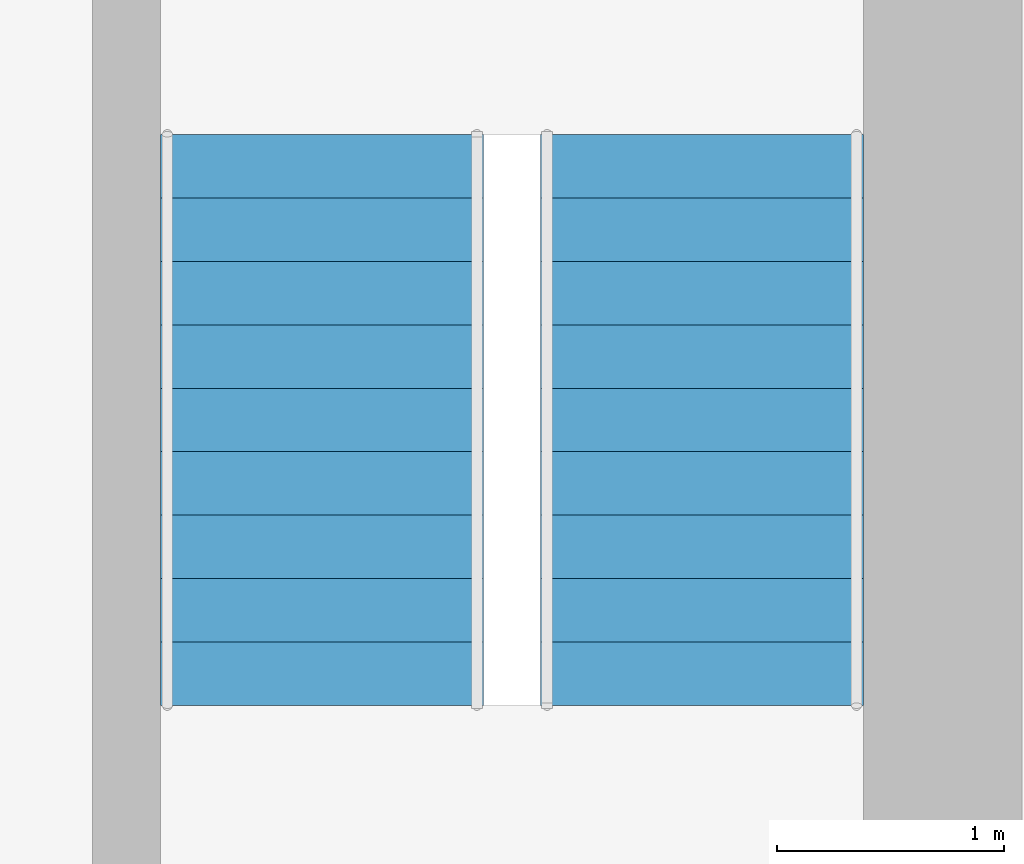
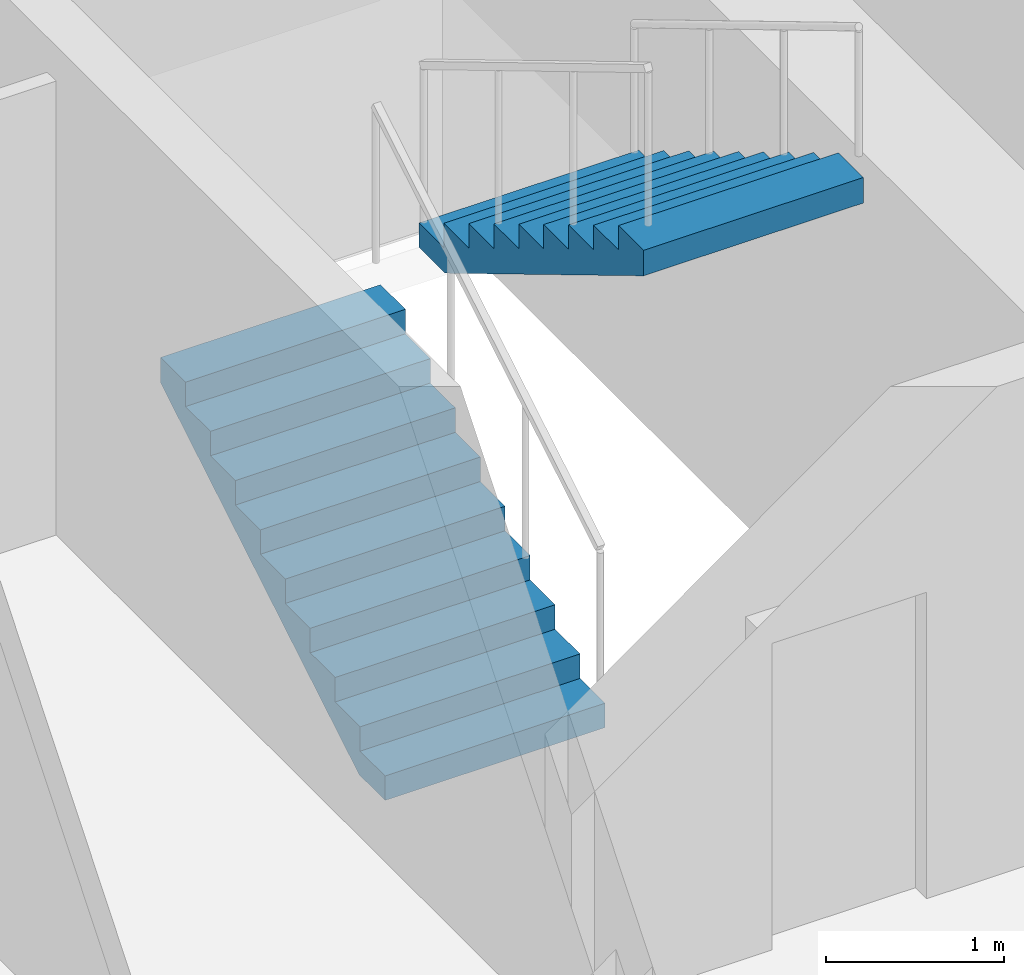
# One storey, part 22 of 23: 2 stair flights, 1 element without a shape of its own.
"""IFC4 building model written with IfcOpenShell, lengths in metres."""

from ifc_helpers import new_model, si_unit, direction, frame, origin, place, context, subcontext, project, spatial, polyline, outline, extrude, material, type_object, element, aggregate, save


model = new_model("IFC4")

# Units and contexts
model_context = context("Model", 3, precision=1e-05, world=origin(), true_north=direction((0.0, 1.0)))
body_context = subcontext(model_context, "Body", "Model", "MODEL_VIEW")
ifc_project = project(units=[si_unit("LENGTHUNIT", "METRE"), si_unit("AREAUNIT", "SQUARE_METRE"), si_unit("VOLUMEUNIT", "CUBIC_METRE"), si_unit("PLANEANGLEUNIT", "RADIAN"), si_unit("MASSUNIT", "GRAM", prefix="KILO")], contexts=[model_context])

# Site, building, storey
site_placement = place(None, origin())
site = spatial("IfcSite", under=ifc_project, at=site_placement, CompositionType="ELEMENT")
building_placement = place(site_placement, origin())
building = spatial("IfcBuilding", under=site, at=building_placement, Name="Jalousie Tower", CompositionType="ELEMENT")
storey_placement = place(building_placement, frame((0.0, 0.0, 194.550048828125)))
storey = spatial("IfcBuildingStorey", under=building, at=storey_placement, Name="L53", CompositionType="ELEMENT", Elevation=194.550048828125)

# Stair, stair flights
ifc_material_1 = material(Name="Concrete f'c 40 MPa", Category="concrete")
stair_type = type_object("IfcStairType", Name="EXIT STAIR", PredefinedType="HALF_TURN_STAIR", material=ifc_material_1)
stair_placement = place(storey_placement, origin())
stair = element("IfcStair", 1, at=stair_placement, inside=storey, type_object=stair_type, Name="Exit stair B L53", PredefinedType="HALF_TURN_STAIR")
ifc_material_2 = material(Name="Concrete f'c 40 MPa", Category="concrete")
stair_flight_type = type_object("IfcStairFlightType", Name="STAIR FLIGHT", PredefinedType="STRAIGHT", material=ifc_material_2)
stair_flight_1_placement = place(storey_placement, frame((41.0625, 21.50244140625, 0.0), z_axis=(0.0, 0.0, 1.0), x_axis=(0.0, 1.0, 0.0)))
stair_flight_1 = element("IfcStairFlight", 2, at=stair_flight_1_placement, type_object=stair_flight_type, Name="ST-B flight 1", NumberOfRisers=10, NumberOfTreads=9, PredefinedType="STRAIGHT", RiserHeight=0.1675, TreadLength=0.28, context=body_context, shape_type="SweptSolid", body=[
    extrude(outline(polyline([(0.0, 0.0), (0.0, 0.16748046875), (0.280029296875, 0.16748046875), (0.280029296875, 0.3349609375), (0.56005859375, 0.3349609375), (0.56005859375, 0.50244140625), (0.840087890625, 0.50244140625), (0.840087890625, 0.669921875), (1.1201171875, 0.669921875), (1.1201171875, 0.83740234375), (1.39990234375, 0.83740234375), (1.39990234375, 1.0048828125), (1.679931640625, 1.0048828125), (1.679931640625, 1.172607421875), (1.9599609375, 1.172607421875), (1.9599609375, 1.340087890625), (2.239990234375, 1.340087890625), (2.239990234375, 1.507568359375), (2.52001953125, 1.507568359375), (2.52001953125, 1.675048828125), (2.52001953125, 1.332763671875), (0.2919921875, 0.0), (0.0, 0.0)])), frame((0.0, 0.71240234375, 0.0), z_axis=(0.0, -1.0, 0.0), x_axis=(1.0, 0.0, 0.0)), (0.0, 0.0, 1.0), 1.425048828125),
])
stair_flight_2_placement = place(storey_placement, frame((42.737548828125, 24.0224609375, 1.675048828125), z_axis=(0.0, 0.0, 1.0), x_axis=(0.0, -1.0, 0.0)))
stair_flight_2 = element("IfcStairFlight", 3, at=stair_flight_2_placement, type_object=stair_flight_type, Name="ST-B flight 2", NumberOfRisers=10, NumberOfTreads=9, PredefinedType="STRAIGHT", RiserHeight=0.1675, TreadLength=0.28, context=body_context, shape_type="SweptSolid", body=[
    extrude(outline(polyline([(0.0, 0.0), (0.0, 0.16748046875), (0.280029296875, 0.16748046875), (0.280029296875, 0.3349609375), (0.56005859375, 0.3349609375), (0.56005859375, 0.50244140625), (0.840087890625, 0.50244140625), (0.840087890625, 0.669921875), (1.1201171875, 0.669921875), (1.1201171875, 0.83740234375), (1.39990234375, 0.83740234375), (1.39990234375, 1.0048828125), (1.679931640625, 1.0048828125), (1.679931640625, 1.172607421875), (1.9599609375, 1.172607421875), (1.9599609375, 1.340087890625), (2.239990234375, 1.340087890625), (2.239990234375, 1.507568359375), (2.52001953125, 1.507568359375), (2.52001953125, 1.675048828125), (2.52001953125, 1.332763671875), (0.2919921875, 0.0), (0.0, 0.0)])), frame((0.0, 0.71240234375, 0.0), z_axis=(0.0, -1.0, 0.0), x_axis=(1.0, 0.0, 0.0)), (0.0, 0.0, 1.0), 1.425048828125),
])
aggregate(stair, [stair_flight_1, stair_flight_2])

save(model, "model.ifc")
